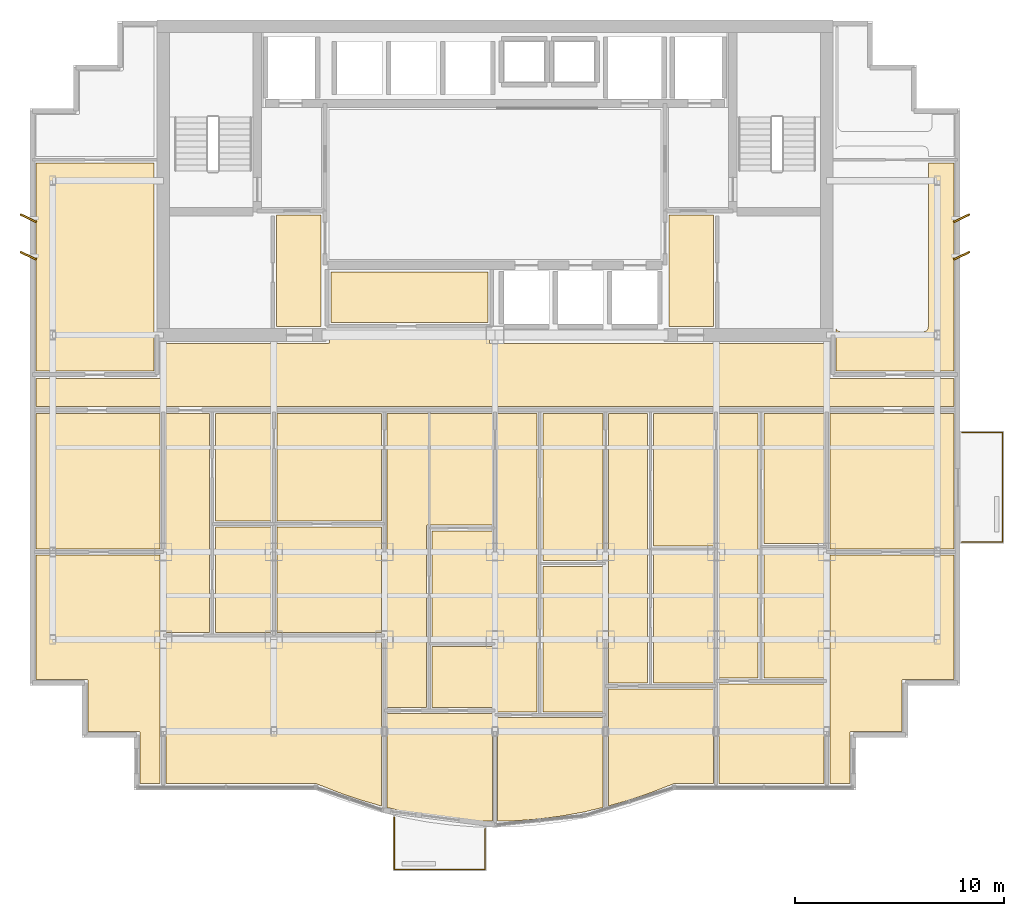
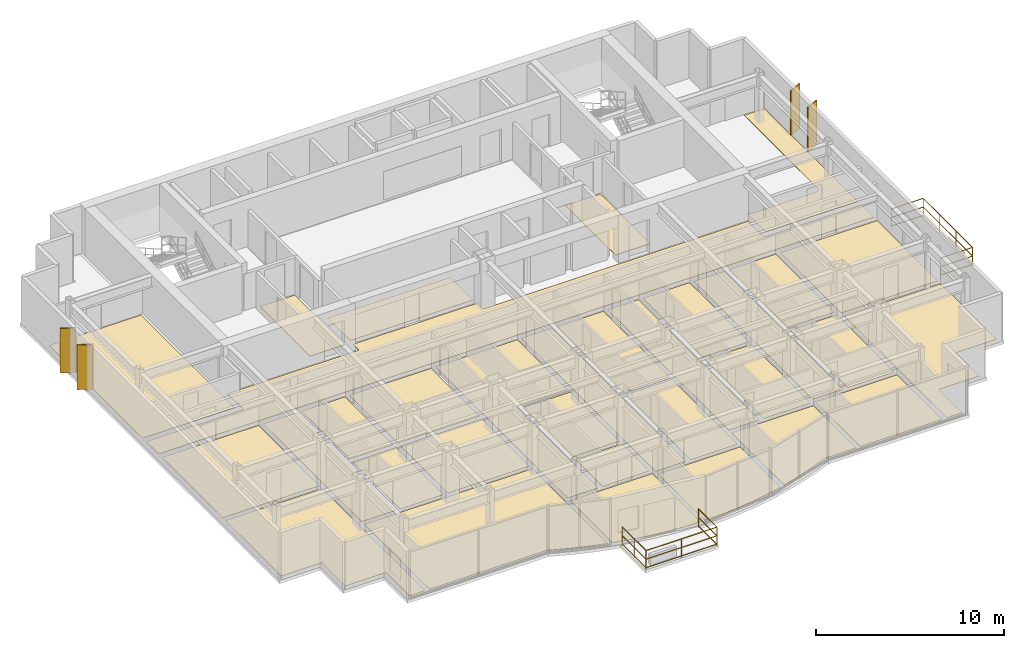
# One storey, part 10 of 11: 32 coverings, 4 shading devices, 2 railings.
"""IFC4 building model written with IfcOpenShell, lengths in metres."""

from ifc_helpers import new_model, si_unit, direction, frame, origin, origin_2d, place, context, subcontext, project, spatial, polyline, rectangle, circle, outline, extrude, source, transform, mapped, material, layer, layer_set, type_object, element, save


model = new_model("IFC4")

# Units and contexts
model_context = context("Model", 3, precision=1e-05, world=origin(), true_north=direction((0.0, 1.0)))
body_context = subcontext(model_context, "Body", "Model", "MODEL_VIEW")
ifc_project = project(units=[si_unit("LENGTHUNIT", "METRE"), si_unit("AREAUNIT", "SQUARE_METRE"), si_unit("VOLUMEUNIT", "CUBIC_METRE"), si_unit("PLANEANGLEUNIT", "RADIAN"), si_unit("MASSUNIT", "GRAM", prefix="KILO")], contexts=[model_context])

# Site, building, storey
site_placement = place(None, origin())
site = spatial("IfcSite", under=ifc_project, at=site_placement, CompositionType="ELEMENT")
building_placement = place(site_placement, origin())
building = spatial("IfcBuilding", under=site, at=building_placement, Name="Qianlan Lanfeng Residences", CompositionType="ELEMENT")
storey_placement = place(building_placement, frame((0.0, 0.0, 168.89990234375)))
storey = spatial("IfcBuildingStorey", under=building, at=storey_placement, Name="L46", CompositionType="ELEMENT", Elevation=168.89990234375)

# Coverings
ifc_material_1 = material(Name="Honed Taitung Granite Stone Flooring", Category="masonry")
ifc_layer_1 = layer(ifc_material_1, 0.030029296875)
ifc_layer_set_1 = layer_set([ifc_layer_1], Name="Honed Taitung Granite Stone Flooring")
covering_type_1 = type_object("IfcCoveringType", Name="FLR-STN-30", PredefinedType="FLOORING", material=ifc_layer_set_1)
covering_1_placement = place(storey_placement, origin())
element("IfcCovering", 1, at=covering_1_placement, inside=storey, type_object=covering_type_1, Name="L46 Residential Corridor Floor Finish", PredefinedType="FLOORING", context=body_context, shape_type="SweptSolid", body=[
    extrude(outline(polyline([(4.489990234375, 21.780029296875), (48.510009765625, 21.780029296875), (48.510009765625, 23.1201171875), (42.590087890625, 23.1201171875), (42.5830078125, 23.1201171875), (42.575927734375, 23.12109375), (42.570068359375, 23.123046875), (42.56298828125, 23.125), (42.556884765625, 23.1279296875), (42.551025390625, 23.132080078125), (42.5458984375, 23.135986328125), (42.541015625, 23.14111328125), (42.535888671875, 23.14599609375), (42.531982421875, 23.15087890625), (42.528076171875, 23.156982421875), (42.52490234375, 23.1630859375), (42.52294921875, 23.169921875), (42.52099609375, 23.176025390625), (42.52001953125, 23.18310546875), (42.52001953125, 23.18994140625), (42.52001953125, 24.800048828125), (26.300048828125, 24.800048828125), (26.29296875, 24.800048828125), (26.285888671875, 24.801025390625), (26.280029296875, 24.802978515625), (26.27294921875, 24.804931640625), (26.26708984375, 24.80810546875), (26.260986328125, 24.81201171875), (26.256103515625, 24.81591796875), (26.2509765625, 24.821044921875), (26.24609375, 24.825927734375), (26.241943359375, 24.8310546875), (26.238037109375, 24.8369140625), (26.235107421875, 24.843017578125), (26.23291015625, 24.85009765625), (26.23095703125, 24.85595703125), (26.22998046875, 24.863037109375), (26.22998046875, 24.8701171875), (26.22998046875, 25.429931640625), (18.570068359375, 25.429931640625), (18.570068359375, 24.8701171875), (18.570068359375, 24.863037109375), (18.569091796875, 24.85595703125), (18.56689453125, 24.85009765625), (18.56494140625, 24.843017578125), (18.56201171875, 24.8369140625), (18.55810546875, 24.8310546875), (18.553955078125, 24.825927734375), (18.549072265625, 24.821044921875), (18.5439453125, 24.81591796875), (18.5390625, 24.81201171875), (18.532958984375, 24.80810546875), (18.527099609375, 24.804931640625), (18.52001953125, 24.802978515625), (18.513916015625, 24.801025390625), (18.507080078125, 24.800048828125), (18.5, 24.800048828125), (10.47998046875, 24.800048828125), (10.47998046875, 23.18994140625), (10.47998046875, 23.18310546875), (10.47900390625, 23.176025390625), (10.47705078125, 23.169921875), (10.47509765625, 23.1630859375), (10.471923828125, 23.156982421875), (10.468017578125, 23.15087890625), (10.464111328125, 23.14599609375), (10.458984375, 23.14111328125), (10.4541015625, 23.135986328125), (10.448974609375, 23.132080078125), (10.443115234375, 23.1279296875), (10.43701171875, 23.125), (10.429931640625, 23.123046875), (10.424072265625, 23.12109375), (10.4169921875, 23.1201171875), (10.409912109375, 23.1201171875), (4.489990234375, 23.1201171875), (4.489990234375, 21.780029296875)])), origin(), (0.0, 0.0, 1.0), 0.030029296875),
])
covering_2_placement = place(storey_placement, origin())
element("IfcCovering", 2, at=covering_2_placement, inside=storey, type_object=covering_type_1, Name="L46 Lift Lobby Floor Finish", PredefinedType="FLOORING", context=body_context, shape_type="SweptSolid", body=[
    extrude(outline(polyline([(16.030029296875, 25.610107421875), (18.169921875, 25.610107421875), (18.169921875, 30.949951171875), (16.030029296875, 30.949951171875), (16.030029296875, 25.610107421875)])), origin(), (0.0, 0.0, 1.0), 0.030029296875),
])
covering_3_placement = place(storey_placement, origin())
element("IfcCovering", 3, at=covering_3_placement, inside=storey, type_object=covering_type_1, Name="L46 Lift Lobby Floor Finish", PredefinedType="FLOORING", context=body_context, shape_type="SweptSolid", body=[
    extrude(outline(polyline([(34.830078125, 25.610107421875), (36.969970703125, 25.610107421875), (36.969970703125, 30.949951171875), (34.830078125, 30.949951171875), (34.830078125, 25.610107421875)])), origin(), (0.0, 0.0, 1.0), 0.030029296875),
])
ifc_material_2 = material(Name="Slip-Resistant Porcelain Tile Flooring")
ifc_layer_2 = layer(ifc_material_2, 0.02001953125)
ifc_layer_set_2 = layer_set([ifc_layer_2], Name="Slip-Resistant Porcelain Tile Flooring")
covering_type_2 = type_object("IfcCoveringType", Name="FLR-TIL-20", PredefinedType="FLOORING", material=ifc_layer_set_2)
covering_4_placement = place(storey_placement, origin())
element("IfcCovering", 4, at=covering_4_placement, inside=storey, type_object=covering_type_2, Name="L46 Kitchen Floor Finish", PredefinedType="FLOORING", context=body_context, shape_type="SweptSolid", body=[
    extrude(outline(polyline([(13.090087890625, 10.929931640625), (15.760009765625, 10.929931640625), (15.760009765625, 16.0048828125), (13.090087890625, 16.0048828125), (13.090087890625, 10.929931640625)])), origin(), (0.0, 0.0, 1.0), 0.02001953125),
])
covering_5_placement = place(storey_placement, origin())
element("IfcCovering", 5, at=covering_5_placement, inside=storey, type_object=covering_type_2, Name="L46 Bathroom Floor Finish", PredefinedType="FLOORING", context=body_context, shape_type="SweptSolid", body=[
    extrude(outline(polyline([(13.090087890625, 16.284912109375), (15.760009765625, 16.284912109375), (15.760009765625, 21.429931640625), (13.090087890625, 21.429931640625), (13.090087890625, 16.284912109375)])), origin(), (0.0, 0.0, 1.0), 0.02001953125),
])
covering_6_placement = place(storey_placement, origin())
element("IfcCovering", 6, at=covering_6_placement, inside=storey, type_object=covering_type_2, Name="L46 En-Suite Bathroom Floor Finish", PredefinedType="FLOORING", context=body_context, shape_type="SweptSolid", body=[
    extrude(outline(polyline([(23.489990234375, 7.339111328125), (26.3701171875, 7.339111328125), (26.3701171875, 10.259033203125), (23.489990234375, 10.259033203125), (23.489990234375, 7.339111328125)])), origin(), (0.0, 0.0, 1.0), 0.02001953125),
])
ifc_material_3 = material(Name="Engineered Smoked Oak Timber Flooring", Category="wood")
ifc_layer_3 = layer(ifc_material_3, 0.02197265625)
ifc_layer_set_3 = layer_set([ifc_layer_3], Name="Engineered Smoked Oak Timber Flooring")
covering_type_3 = type_object("IfcCoveringType", Name="FLR-TIM-22", PredefinedType="FLOORING", material=ifc_layer_set_3)
covering_7_placement = place(storey_placement, origin())
element("IfcCovering", 7, at=covering_7_placement, inside=storey, type_object=covering_type_3, Name="L46 Resident Reading Lounge Floor Finish", PredefinedType="FLOORING", context=body_context, shape_type="SweptSolid", body=[
    extrude(outline(polyline([(18.6298828125, 25.800048828125), (26.169921875, 25.800048828125), (26.169921875, 28.22998046875), (18.6298828125, 28.22998046875), (18.6298828125, 25.800048828125)])), origin(), (0.0, 0.0, 1.0), 0.022216796875),
])
covering_8_placement = place(storey_placement, origin())
element("IfcCovering", 8, at=covering_8_placement, inside=storey, type_object=covering_type_3, Name="L46 Living and Dining Room Floor Finish", PredefinedType="FLOORING", context=body_context, shape_type="SweptSolid", body=[
    extrude(outline(polyline([(10.72998046875, 10.64990234375), (10.72998046875, 3.68994140625), (17.922119140625, 3.68994140625), (17.927978515625, 3.68994140625), (17.93505859375, 3.68896484375), (17.94091796875, 3.68701171875), (17.947021484375, 3.68505859375), (19.056884765625, 3.25), (20.1220703125, 2.888916015625), (21.070068359375, 2.616943359375), (21.070068359375, 10.64990234375), (10.72998046875, 10.64990234375)])), origin(), (0.0, 0.0, 1.0), 0.022216796875),
])
covering_9_placement = place(storey_placement, origin())
element("IfcCovering", 9, at=covering_9_placement, inside=storey, type_object=covering_type_3, Name="L46 Family Sitting Room Floor Finish", PredefinedType="FLOORING", context=body_context, shape_type="SweptSolid", body=[
    extrude(outline(polyline([(10.72998046875, 10.929931640625), (12.81005859375, 10.929931640625), (12.81005859375, 21.429931640625), (10.72998046875, 21.429931640625), (10.72998046875, 10.929931640625)])), origin(), (0.0, 0.0, 1.0), 0.022216796875),
])
covering_10_placement = place(storey_placement, origin())
element("IfcCovering", 10, at=covering_10_placement, inside=storey, type_object=covering_type_3, Name="L46 Community Library Floor Finish", PredefinedType="FLOORING", context=body_context, shape_type="SweptSolid", body=[
    extrude(outline(polyline([(16.0400390625, 10.929931640625), (21.06005859375, 10.929931640625), (21.06005859375, 16.0048828125), (16.0400390625, 16.0048828125), (16.0400390625, 10.929931640625)])), origin(), (0.0, 0.0, 1.0), 0.022216796875),
])
covering_11_placement = place(storey_placement, origin())
element("IfcCovering", 11, at=covering_11_placement, inside=storey, type_object=covering_type_3, Name="L46 Home Office Floor Finish", PredefinedType="FLOORING", context=body_context, shape_type="SweptSolid", body=[
    extrude(outline(polyline([(16.0400390625, 16.284912109375), (21.06005859375, 16.284912109375), (21.06005859375, 21.429931640625), (16.0400390625, 21.429931640625), (16.0400390625, 16.284912109375)])), origin(), (0.0, 0.0, 1.0), 0.022216796875),
])
covering_12_placement = place(storey_placement, origin())
element("IfcCovering", 12, at=covering_12_placement, inside=storey, type_object=covering_type_3, Name="L46 Private Study Floor Finish", PredefinedType="FLOORING", context=body_context, shape_type="SweptSolid", body=[
    extrude(outline(polyline([(23.489990234375, 10.5390625), (26.3701171875, 10.5390625), (26.3701171875, 15.81005859375), (23.489990234375, 15.81005859375), (23.489990234375, 10.5390625)])), origin(), (0.0, 0.0, 1.0), 0.022216796875),
])
covering_13_placement = place(storey_placement, origin())
element("IfcCovering", 13, at=covering_13_placement, inside=storey, type_object=covering_type_3, Name="L46 Villa Family Sitting Room Floor Finish", PredefinedType="FLOORING", context=body_context, shape_type="SweptSolid", body=[
    extrude(outline(polyline([(21.330078125, 7.339111328125), (23.2099609375, 7.339111328125), (23.2099609375, 16.02001953125), (23.2099609375, 16.027099609375), (23.2109375, 16.033935546875), (23.212890625, 16.0400390625), (23.215087890625, 16.047119140625), (23.218017578125, 16.052978515625), (23.221923828125, 16.05908203125), (23.22607421875, 16.06396484375), (23.23095703125, 16.069091796875), (23.236083984375, 16.073974609375), (23.240966796875, 16.077880859375), (23.2470703125, 16.08203125), (23.2529296875, 16.0849609375), (23.260009765625, 16.0869140625), (23.26611328125, 16.089111328125), (23.27294921875, 16.090087890625), (23.280029296875, 16.090087890625), (26.3701171875, 16.090087890625), (26.3701171875, 21.429931640625), (21.330078125, 21.429931640625), (21.330078125, 7.339111328125)])), origin(), (0.0, 0.0, 1.0), 0.022216796875),
])
covering_14_placement = place(storey_placement, origin())
element("IfcCovering", 14, at=covering_14_placement, inside=storey, type_object=covering_type_3, Name="L46 Master Bedroom Floor Finish", PredefinedType="FLOORING", context=body_context, shape_type="SweptSolid", body=[
    extrude(outline(polyline([(21.330078125, 7.05908203125), (21.330078125, 2.550048828125), (22.2490234375, 2.333984375), (23.31201171875, 2.139892578125), (24.375, 2.001953125), (25.43701171875, 1.91796875), (26.3701171875, 1.89306640625), (26.3701171875, 7.05908203125), (21.330078125, 7.05908203125)])), origin(), (0.0, 0.0, 1.0), 0.022216796875),
])
covering_15_placement = place(storey_placement, origin())
element("IfcCovering", 15, at=covering_15_placement, inside=storey, type_object=covering_type_3, Name="L46 Guest Bedroom Floor Finish", PredefinedType="FLOORING", context=body_context, shape_type="SweptSolid", body=[
    extrude(outline(polyline([(26.6298828125, 6.85888671875), (26.6298828125, 1.89306640625), (27.56298828125, 1.91796875), (28.625, 2.0009765625), (29.68701171875, 2.139892578125), (30.7509765625, 2.333984375), (31.669921875, 2.550048828125), (31.669921875, 6.85888671875), (26.6298828125, 6.85888671875)])), origin(), (0.0, 0.0, 1.0), 0.022216796875),
])
covering_16_placement = place(storey_placement, origin())
element("IfcCovering", 16, at=covering_16_placement, inside=storey, type_object=covering_type_3, Name="L46 Private Study Floor Finish", PredefinedType="FLOORING", context=body_context, shape_type="SweptSolid", body=[
    extrude(outline(polyline([(28.7900390625, 7.138916015625), (31.669921875, 7.138916015625), (31.669921875, 14.10888671875), (28.7900390625, 14.10888671875), (28.7900390625, 7.138916015625)])), origin(), (0.0, 0.0, 1.0), 0.022216796875),
])
covering_17_placement = place(storey_placement, origin())
element("IfcCovering", 17, at=covering_17_placement, inside=storey, type_object=covering_type_3, Name="L46 Community Library Floor Finish", PredefinedType="FLOORING", context=body_context, shape_type="SweptSolid", body=[
    extrude(outline(polyline([(28.7900390625, 14.388916015625), (31.669921875, 14.388916015625), (31.669921875, 21.429931640625), (28.7900390625, 21.429931640625), (28.7900390625, 14.388916015625)])), origin(), (0.0, 0.0, 1.0), 0.022216796875),
])
covering_18_placement = place(storey_placement, origin())
element("IfcCovering", 18, at=covering_18_placement, inside=storey, type_object=covering_type_3, Name="L46 Home Office Floor Finish", PredefinedType="FLOORING", context=body_context, shape_type="SweptSolid", body=[
    extrude(outline(polyline([(26.6298828125, 7.138916015625), (28.510009765625, 7.138916015625), (28.510009765625, 21.429931640625), (26.6298828125, 21.429931640625), (26.6298828125, 7.138916015625)])), origin(), (0.0, 0.0, 1.0), 0.022216796875),
])
covering_19_placement = place(storey_placement, origin())
element("IfcCovering", 19, at=covering_19_placement, inside=storey, type_object=covering_type_3, Name="L46 Guest Bedroom Floor Finish", PredefinedType="FLOORING", context=body_context, shape_type="SweptSolid", body=[
    extrude(outline(polyline([(31.929931640625, 8.23388671875), (31.929931640625, 2.616943359375), (32.8779296875, 2.888916015625), (33.94189453125, 3.25), (35.052978515625, 3.68505859375), (35.05908203125, 3.68701171875), (35.06494140625, 3.68896484375), (35.072021484375, 3.68994140625), (35.077880859375, 3.68994140625), (36.969970703125, 3.68994140625), (36.969970703125, 8.23388671875), (31.929931640625, 8.23388671875)])), origin(), (0.0, 0.0, 1.0), 0.022216796875),
])
covering_20_placement = place(storey_placement, origin())
element("IfcCovering", 20, at=covering_20_placement, inside=storey, type_object=covering_type_3, Name="L46 Private Study Floor Finish", PredefinedType="FLOORING", context=body_context, shape_type="SweptSolid", body=[
    extrude(outline(polyline([(34.090087890625, 8.513916015625), (36.969970703125, 8.513916015625), (36.969970703125, 14.797119140625), (34.090087890625, 14.797119140625), (34.090087890625, 8.513916015625)])), origin(), (0.0, 0.0, 1.0), 0.022216796875),
])
covering_21_placement = place(storey_placement, origin())
element("IfcCovering", 21, at=covering_21_placement, inside=storey, type_object=covering_type_3, Name="L46 Community Library Floor Finish", PredefinedType="FLOORING", context=body_context, shape_type="SweptSolid", body=[
    extrude(outline(polyline([(34.090087890625, 15.076904296875), (36.969970703125, 15.076904296875), (36.969970703125, 21.429931640625), (34.090087890625, 21.429931640625), (34.090087890625, 15.076904296875)])), origin(), (0.0, 0.0, 1.0), 0.022216796875),
])
covering_22_placement = place(storey_placement, origin())
element("IfcCovering", 22, at=covering_22_placement, inside=storey, type_object=covering_type_3, Name="L46 Home Office Floor Finish", PredefinedType="FLOORING", context=body_context, shape_type="SweptSolid", body=[
    extrude(outline(polyline([(31.929931640625, 8.513916015625), (33.81005859375, 8.513916015625), (33.81005859375, 21.429931640625), (31.929931640625, 21.429931640625), (31.929931640625, 8.513916015625)])), origin(), (0.0, 0.0, 1.0), 0.022216796875),
])
covering_23_placement = place(storey_placement, origin())
element("IfcCovering", 23, at=covering_23_placement, inside=storey, type_object=covering_type_3, Name="L46 Guest Bedroom Floor Finish", PredefinedType="FLOORING", context=body_context, shape_type="SweptSolid", body=[
    extrude(outline(polyline([(37.22998046875, 8.47998046875), (37.22998046875, 3.68994140625), (42.27001953125, 3.68994140625), (42.27001953125, 8.47998046875), (37.22998046875, 8.47998046875)])), origin(), (0.0, 0.0, 1.0), 0.022216796875),
])
covering_24_placement = place(storey_placement, origin())
element("IfcCovering", 24, at=covering_24_placement, inside=storey, type_object=covering_type_3, Name="L46 Private Study Floor Finish", PredefinedType="FLOORING", context=body_context, shape_type="SweptSolid", body=[
    extrude(outline(polyline([(39.389892578125, 8.760009765625), (42.27001953125, 8.760009765625), (42.27001953125, 14.919921875), (39.389892578125, 14.919921875), (39.389892578125, 8.760009765625)])), origin(), (0.0, 0.0, 1.0), 0.022216796875),
])
covering_25_placement = place(storey_placement, origin())
element("IfcCovering", 25, at=covering_25_placement, inside=storey, type_object=covering_type_3, Name="L46 Community Library Floor Finish", PredefinedType="FLOORING", context=body_context, shape_type="SweptSolid", body=[
    extrude(outline(polyline([(39.389892578125, 15.199951171875), (42.27001953125, 15.199951171875), (42.27001953125, 21.429931640625), (39.389892578125, 21.429931640625), (39.389892578125, 15.199951171875)])), origin(), (0.0, 0.0, 1.0), 0.022216796875),
])
covering_26_placement = place(storey_placement, origin())
element("IfcCovering", 26, at=covering_26_placement, inside=storey, type_object=covering_type_3, Name="L46 Home Office Floor Finish", PredefinedType="FLOORING", context=body_context, shape_type="SweptSolid", body=[
    extrude(outline(polyline([(37.22998046875, 8.760009765625), (39.110107421875, 8.760009765625), (39.110107421875, 21.429931640625), (37.22998046875, 21.429931640625), (37.22998046875, 8.760009765625)])), origin(), (0.0, 0.0, 1.0), 0.022216796875),
])
covering_27_placement = place(storey_placement, origin())
element("IfcCovering", 27, at=covering_27_placement, inside=storey, type_object=covering_type_3, Name="L46 Sunroom Floor Finish", PredefinedType="FLOORING", context=body_context, shape_type="SweptSolid", body=[
    extrude(outline(polyline([(10.43994140625, 14.64990234375), (4.489990234375, 14.64990234375), (4.489990234375, 8.68994140625), (6.919921875, 8.68994140625), (6.927001953125, 8.68994140625), (6.93408203125, 8.68896484375), (6.93994140625, 8.68701171875), (6.947021484375, 8.68505859375), (6.952880859375, 8.681884765625), (6.958984375, 8.677978515625), (6.964111328125, 8.674072265625), (6.968994140625, 8.6689453125), (6.97412109375, 8.6640625), (6.97802734375, 8.658935546875), (6.98193359375, 8.653076171875), (6.985107421875, 8.64697265625), (6.987060546875, 8.639892578125), (6.989013671875, 8.634033203125), (6.989990234375, 8.626953125), (6.989990234375, 8.6201171875), (6.989990234375, 6.18994140625), (9.419921875, 6.18994140625), (9.427001953125, 6.18994140625), (9.43408203125, 6.18896484375), (9.43994140625, 6.18701171875), (9.447021484375, 6.18505859375), (9.452880859375, 6.181884765625), (9.458984375, 6.177978515625), (9.464111328125, 6.174072265625), (9.468994140625, 6.1689453125), (9.47412109375, 6.1640625), (9.47802734375, 6.158935546875), (9.48193359375, 6.153076171875), (9.485107421875, 6.14697265625), (9.487060546875, 6.139892578125), (9.489013671875, 6.134033203125), (9.489990234375, 6.126953125), (9.489990234375, 6.1201171875), (9.489990234375, 3.68994140625), (10.43994140625, 3.68994140625), (10.43994140625, 14.64990234375)])), origin(), (0.0, 0.0, 1.0), 0.022216796875),
])
covering_28_placement = place(storey_placement, origin())
element("IfcCovering", 28, at=covering_28_placement, inside=storey, type_object=covering_type_3, Name="L46 Family Sitting Room Floor Finish", PredefinedType="FLOORING", context=body_context, shape_type="SweptSolid", body=[
    extrude(outline(polyline([(10.43994140625, 21.429931640625), (4.489990234375, 21.429931640625), (4.489990234375, 14.949951171875), (10.43994140625, 14.949951171875), (10.43994140625, 21.429931640625)])), origin(), (0.0, 0.0, 1.0), 0.022216796875),
])
covering_29_placement = place(storey_placement, origin())
element("IfcCovering", 29, at=covering_29_placement, inside=storey, type_object=covering_type_3, Name="L46 Sunroom Floor Finish", PredefinedType="FLOORING", context=body_context, shape_type="SweptSolid", body=[
    extrude(outline(polyline([(48.510009765625, 14.64990234375), (42.56005859375, 14.64990234375), (42.56005859375, 3.68994140625), (43.510009765625, 3.68994140625), (43.510009765625, 6.1201171875), (43.510009765625, 6.126953125), (43.510986328125, 6.134033203125), (43.512939453125, 6.139892578125), (43.514892578125, 6.14697265625), (43.51806640625, 6.153076171875), (43.52197265625, 6.158935546875), (43.52587890625, 6.1640625), (43.531005859375, 6.1689453125), (43.535888671875, 6.174072265625), (43.541015625, 6.177978515625), (43.547119140625, 6.181884765625), (43.552978515625, 6.18505859375), (43.56005859375, 6.18701171875), (43.56591796875, 6.18896484375), (43.572998046875, 6.18994140625), (43.580078125, 6.18994140625), (46.010009765625, 6.18994140625), (46.010009765625, 8.6201171875), (46.010009765625, 8.626953125), (46.010986328125, 8.634033203125), (46.012939453125, 8.639892578125), (46.014892578125, 8.64697265625), (46.01806640625, 8.653076171875), (46.02197265625, 8.658935546875), (46.02587890625, 8.6640625), (46.031005859375, 8.6689453125), (46.035888671875, 8.674072265625), (46.041015625, 8.677978515625), (46.047119140625, 8.681884765625), (46.052978515625, 8.68505859375), (46.06005859375, 8.68701171875), (46.06591796875, 8.68896484375), (46.072998046875, 8.68994140625), (46.080078125, 8.68994140625), (48.510009765625, 8.68994140625), (48.510009765625, 14.64990234375)])), origin(), (0.0, 0.0, 1.0), 0.022216796875),
])
covering_30_placement = place(storey_placement, origin())
element("IfcCovering", 30, at=covering_30_placement, inside=storey, type_object=covering_type_3, Name="L46 Private Study Floor Finish", PredefinedType="FLOORING", context=body_context, shape_type="SweptSolid", body=[
    extrude(outline(polyline([(48.510009765625, 21.429931640625), (42.56005859375, 21.429931640625), (42.56005859375, 14.949951171875), (48.510009765625, 14.949951171875), (48.510009765625, 21.429931640625)])), origin(), (0.0, 0.0, 1.0), 0.022216796875),
])
covering_31_placement = place(storey_placement, origin())
element("IfcCovering", 31, at=covering_31_placement, inside=storey, type_object=covering_type_3, Name="L46 Fitness Gymnasium Floor Finish", PredefinedType="FLOORING", context=body_context, shape_type="SweptSolid", body=[
    extrude(outline(polyline([(10.14990234375, 33.449951171875), (4.489990234375, 33.449951171875), (4.489990234375, 23.47998046875), (10.14990234375, 23.47998046875), (10.14990234375, 33.449951171875)])), origin(), (0.0, 0.0, 1.0), 0.022216796875),
])
covering_32_placement = place(storey_placement, origin())
element("IfcCovering", 32, at=covering_32_placement, inside=storey, type_object=covering_type_3, Name="L46 Fitness Gymnasium Floor Finish", PredefinedType="FLOORING", context=body_context, shape_type="SweptSolid", body=[
    extrude(outline(polyline([(48.510009765625, 33.449951171875), (47.27001953125, 33.449951171875), (47.27001953125, 25.60009765625), (47.26904296875, 25.574951171875), (47.264892578125, 25.551025390625), (47.259033203125, 25.527099609375), (47.2509765625, 25.50390625), (47.239990234375, 25.48193359375), (47.22802734375, 25.4609375), (47.212890625, 25.44091796875), (47.197021484375, 25.423095703125), (47.178955078125, 25.406982421875), (47.158935546875, 25.39208984375), (47.137939453125, 25.3798828125), (47.115966796875, 25.368896484375), (47.093017578125, 25.361083984375), (47.069091796875, 25.35498046875), (47.044921875, 25.35107421875), (47.02001953125, 25.35009765625), (43.080078125, 25.35009765625), (43.054931640625, 25.35107421875), (43.031005859375, 25.35498046875), (43.007080078125, 25.361083984375), (42.98388671875, 25.368896484375), (42.9619140625, 25.3798828125), (42.94091796875, 25.39208984375), (42.9208984375, 25.406982421875), (42.903076171875, 25.423095703125), (42.886962890625, 25.44091796875), (42.8720703125, 25.4609375), (42.860107421875, 25.48193359375), (42.85009765625, 25.501953125), (42.85009765625, 23.47998046875), (48.510009765625, 23.47998046875), (48.510009765625, 33.449951171875)])), origin(), (0.0, 0.0, 1.0), 0.022216796875),
])

# Railings
ifc_material_4 = material(Name="Anodised Bronze Aluminium and Laminated Glass Guard Balustrade", Category="aluminium")
railing_type = type_object("IfcRailingType", Name="GR-EXT-1220", PredefinedType="BALUSTRADE", material=ifc_material_4)
railing_1_placement = place(storey_placement, frame((26.030029296875, 1.5419921875, 0.0)))
element("IfcRailing", 33, at=railing_1_placement, inside=storey, type_object=railing_type, Name="L46 Terrace Safety Guard GR-L46-SB-C", PredefinedType="BALUSTRADE", context=body_context, shape_type="SweptSolid", body=[
    extrude(circle(Radius=0.02490234375, at=origin_2d()), frame((0.0, 0.0, 0.0849609375), z_axis=(0.0, -1.0, 0.0), x_axis=(1.0, 0.0, 0.0)), (0.0, 0.0, 1.0), 1.971923828125),
    extrude(circle(Radius=0.02490234375, at=origin_2d()), frame((0.0, 0.0, 0.63427734375), z_axis=(0.0, -1.0, 0.0), x_axis=(1.0, 0.0, 0.0)), (0.0, 0.0, 1.0), 1.971923828125),
    extrude(circle(Radius=0.02490234375, at=origin_2d()), frame((0.0, 0.0, 1.19482421875), z_axis=(0.0, -1.0, 0.0), x_axis=(1.0, 0.0, 0.0)), (0.0, 0.0, 1.0), 1.971923828125),
    extrude(circle(Radius=0.02490234375, at=origin_2d()), frame((0.0, -1.971923828125, 0.0849609375), z_axis=(-1.0, 0.0, 0.0), x_axis=(0.0, -1.0, 0.0)), (0.0, 0.0, 1.0), 4.360107421875),
    extrude(circle(Radius=0.02490234375, at=origin_2d()), frame((0.0, -1.971923828125, 0.63427734375), z_axis=(-1.0, 0.0, 0.0), x_axis=(0.0, -1.0, 0.0)), (0.0, 0.0, 1.0), 4.360107421875),
    extrude(circle(Radius=0.02490234375, at=origin_2d()), frame((0.0, -1.971923828125, 1.19482421875), z_axis=(-1.0, 0.0, 0.0), x_axis=(0.0, -1.0, 0.0)), (0.0, 0.0, 1.0), 4.360107421875),
    extrude(circle(Radius=0.02490234375, at=origin_2d()), frame((-4.360107421875, -1.971923828125, 0.0849609375), z_axis=(0.0, 1.0, 0.0), x_axis=(-1.0, 0.0, 0.0)), (0.0, 0.0, 1.0), 2.530029296875),
    extrude(circle(Radius=0.02490234375, at=origin_2d()), frame((-4.360107421875, -1.971923828125, 0.63427734375), z_axis=(0.0, 1.0, 0.0), x_axis=(-1.0, 0.0, 0.0)), (0.0, 0.0, 1.0), 2.530029296875),
    extrude(circle(Radius=0.02490234375, at=origin_2d()), frame((-4.360107421875, -1.971923828125, 1.19482421875), z_axis=(0.0, 1.0, 0.0), x_axis=(-1.0, 0.0, 0.0)), (0.0, 0.0, 1.0), 2.530029296875),
    extrude(circle(Radius=0.02099609375, at=origin_2d()), origin(), (0.0, 0.0, 1.0), 1.169921875),
    extrude(circle(Radius=0.02099609375, at=origin_2d()), frame((0.0, -1.971923828125, 0.0)), (0.0, 0.0, 1.0), 1.169921875),
    extrude(circle(Radius=0.02099609375, at=origin_2d()), frame((-2.18017578125, -1.971923828125, 0.0)), (0.0, 0.0, 1.0), 1.169921875),
    extrude(circle(Radius=0.02099609375, at=origin_2d()), frame((-4.360107421875, -1.971923828125, 0.0)), (0.0, 0.0, 1.0), 1.169921875),
    extrude(circle(Radius=0.02099609375, at=origin_2d()), frame((-4.360107421875, -0.70703125, 0.0)), (0.0, 0.0, 1.0), 1.169921875),
    extrude(circle(Radius=0.02099609375, at=origin_2d()), frame((-4.360107421875, 0.55810546875, 0.0)), (0.0, 0.0, 1.0), 1.169921875),
])
railing_2_placement = place(storey_placement, frame((48.8701171875, 20.530029296875, 0.0)))
element("IfcRailing", 34, at=railing_2_placement, inside=storey, type_object=railing_type, Name="L46 Terrace Safety Guard GR-L46-EB-S", PredefinedType="BALUSTRADE", context=body_context, shape_type="SweptSolid", body=[
    extrude(circle(Radius=0.02490234375, at=origin_2d()), frame((0.0, 0.0, 0.0849609375), z_axis=(1.0, 0.0, 0.0), x_axis=(0.0, 1.0, 0.0)), (0.0, 0.0, 1.0), 1.9599609375),
    extrude(circle(Radius=0.02490234375, at=origin_2d()), frame((0.0, 0.0, 0.63427734375), z_axis=(1.0, 0.0, 0.0), x_axis=(0.0, 1.0, 0.0)), (0.0, 0.0, 1.0), 1.9599609375),
    extrude(circle(Radius=0.02490234375, at=origin_2d()), frame((0.0, 0.0, 1.19482421875), z_axis=(1.0, 0.0, 0.0), x_axis=(0.0, 1.0, 0.0)), (0.0, 0.0, 1.0), 1.9599609375),
    extrude(circle(Radius=0.02490234375, at=origin_2d()), frame((1.9599609375, 0.0, 0.0849609375), z_axis=(0.0, -1.0, 0.0), x_axis=(1.0, 0.0, 0.0)), (0.0, 0.0, 1.0), 5.260009765625),
    extrude(circle(Radius=0.02490234375, at=origin_2d()), frame((1.9599609375, 0.0, 0.63427734375), z_axis=(0.0, -1.0, 0.0), x_axis=(1.0, 0.0, 0.0)), (0.0, 0.0, 1.0), 5.260009765625),
    extrude(circle(Radius=0.02490234375, at=origin_2d()), frame((1.9599609375, 0.0, 1.19482421875), z_axis=(0.0, -1.0, 0.0), x_axis=(1.0, 0.0, 0.0)), (0.0, 0.0, 1.0), 5.260009765625),
    extrude(circle(Radius=0.02490234375, at=origin_2d()), frame((1.9599609375, -5.260009765625, 0.0849609375), z_axis=(-1.0, 0.0, 0.0), x_axis=(0.0, -1.0, 0.0)), (0.0, 0.0, 1.0), 1.9599609375),
    extrude(circle(Radius=0.02490234375, at=origin_2d()), frame((1.9599609375, -5.260009765625, 0.63427734375), z_axis=(-1.0, 0.0, 0.0), x_axis=(0.0, -1.0, 0.0)), (0.0, 0.0, 1.0), 1.9599609375),
    extrude(circle(Radius=0.02490234375, at=origin_2d()), frame((1.9599609375, -5.260009765625, 1.19482421875), z_axis=(-1.0, 0.0, 0.0), x_axis=(0.0, -1.0, 0.0)), (0.0, 0.0, 1.0), 1.9599609375),
    extrude(circle(Radius=0.02099609375, at=origin_2d()), origin(), (0.0, 0.0, 1.0), 1.169921875),
    extrude(circle(Radius=0.02099609375, at=origin_2d()), frame((1.9599609375, 0.0, 0.0)), (0.0, 0.0, 1.0), 1.169921875),
    extrude(circle(Radius=0.02099609375, at=origin_2d()), frame((1.9599609375, -1.75341796875, 0.0)), (0.0, 0.0, 1.0), 1.169921875),
    extrude(circle(Radius=0.02099609375, at=origin_2d()), frame((1.9599609375, -3.506591796875, 0.0)), (0.0, 0.0, 1.0), 1.169921875),
    extrude(circle(Radius=0.02099609375, at=origin_2d()), frame((1.9599609375, -5.260009765625, 0.0)), (0.0, 0.0, 1.0), 1.169921875),
    extrude(circle(Radius=0.02099609375, at=origin_2d()), frame((0.0, -5.260009765625, 0.0)), (0.0, 0.0, 1.0), 1.169921875),
])

# Shading devices
ifc_material_5 = material(Name="Anodised Bronze Aluminium Solar Fin", Category="aluminium")
shading_device_type = type_object("IfcShadingDeviceType", Name="FIN-BRZ-850", PredefinedType="SHUTTER", material=ifc_material_5)
shared_shape = source(origin(), body_context, "Body", "SweptSolid", [
    extrude(rectangle(XDim=0.85009765625, YDim=0.080078125, at=origin_2d()), origin(), (0.0, 0.0, 1.0), 2.89990234375),
])
for number, where, z_axis, x_axis, name in (
    (35, (4.1298828125, 29.0, 0.000244140625), (0.0, 0.0, 1.0), (0.898794046299, -0.438371146789, 0.0), "L46 Raked Bronze Solar Fin W1"),
    (36, (4.1298828125, 30.800048828125, 0.000244140625), (0.0, 0.0, 1.0), (0.898794046299, -0.438371146789, 0.0), "L46 Raked Bronze Solar Fin W2"),
    (37, (48.8701171875, 29.0, 0.000244140625), (0.0, 0.0, 1.0), (0.898794046299, 0.438371146789, 0.0), "L46 Raked Bronze Solar Fin E1"),
    (38, (48.8701171875, 30.800048828125, 0.000244140625), (0.0, 0.0, 1.0), (0.898794046299, 0.438371146789, 0.0), "L46 Raked Bronze Solar Fin E2"),
):
    element("IfcShadingDevice", number, at=place(storey_placement, frame(where, z_axis=z_axis, x_axis=x_axis)), inside=storey, type_object=shading_device_type, Name=name, PredefinedType="SHUTTER", context=body_context, shape_type="MappedRepresentation", body=[
        mapped(shared_shape, transform((0.0, 0.0, 0.0), scale=1.0)),
    ])

save(model, "model.ifc")
